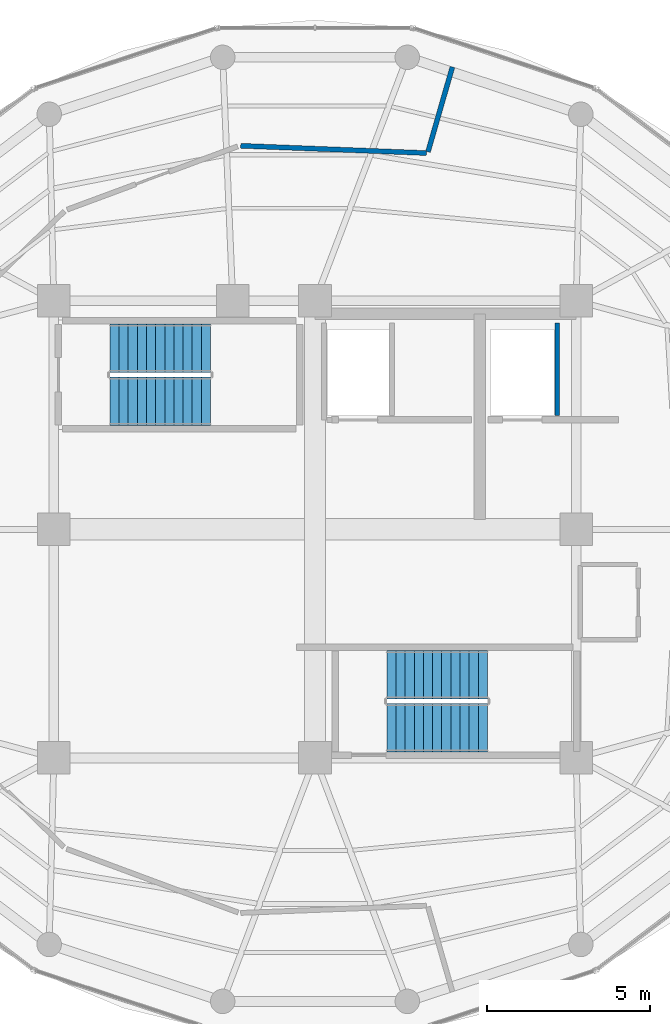
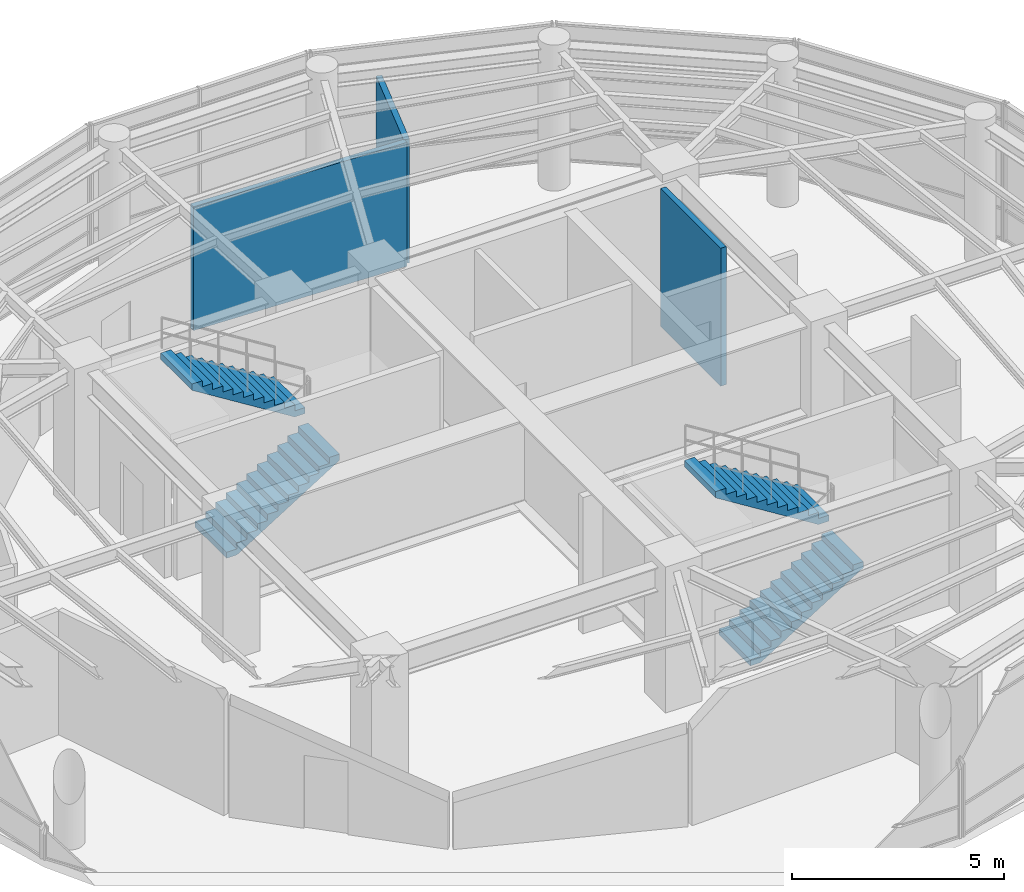
# One storey, part 18 of 19: 4 stair flights, 3 walls, 2 elements without a shape of their own.
"""IFC4 building model written with IfcOpenShell, lengths in metres."""

import ifcopenshell
import ifcopenshell.guid

model = None  # the IFC model being written
_history = None  # IfcOwnerHistory: only IFC2X3 demands one
_inside = {}  # id of a spatial element -> (the spatial element, [elements in it])
_under = {}  # id of a project, library or spatial element -> (it, [spatial elements below it])
_declared = {}  # id of a project -> (the project, [libraries it declares])
_typed = {}  # id of a type object -> (the type object, [elements of that type])
_made_of = {}  # id of a material, layer set ... -> (it, [elements and type objects made of it])


def new_model(schema):
    """Start an empty IFC model of exactly this schema.

    Asked for "IFC4X3", IfcOpenShell would pick the latest addendum, in which some entities
    have other attributes; the version numbers below select the first issue.
    IFC2X3 requires an IfcOwnerHistory on every rooted entity: one is made here for all.
    """
    global model, _history
    if schema == "IFC4X3":
        model = ifcopenshell.file(schema_version=(4, 3, 0, 0))
    else:
        model = ifcopenshell.file(schema=schema)
    _inside.clear()
    _under.clear()
    _declared.clear()
    _typed.clear()
    _made_of.clear()
    _history = None
    if model.schema == "IFC2X3":
        org = make("IfcOrganization", Name="unknown")
        user = make(
            "IfcPersonAndOrganization",
            ThePerson=make("IfcPerson", FamilyName="unknown"),
            TheOrganization=org,
        )
        app = make(
            "IfcApplication",
            ApplicationDeveloper=org,
            Version="unknown",
            ApplicationFullName="unknown",
            ApplicationIdentifier="unknown",
        )
        _history = make(
            "IfcOwnerHistory",
            OwningUser=user,
            OwningApplication=app,
            ChangeAction="ADDED",
            CreationDate=0,
        )
    return model


def make(cls, **values):
    """One entity of the class cls with the attributes given. An attribute that is None is left unset."""
    return model.create_entity(
        cls, **{name: value for name, value in values.items() if value is not None}
    )


def rooted(cls, **values):
    """An entity with a GlobalId (a new one), such as an element, a storey or a relation."""
    return make(cls, GlobalId=ifcopenshell.guid.new(), OwnerHistory=_history, **values)


def si_unit(unit_type, name, prefix=None):
    """IfcSIUnit, for example si_unit("LENGTHUNIT", "METRE", prefix="MILLI")."""
    return make("IfcSIUnit", UnitType=unit_type, Prefix=prefix, Name=name)


def assignment(units):
    """IfcUnitAssignment: the units of a project."""
    return None if units is None else make("IfcUnitAssignment", Units=units)


def point(xyz):
    """IfcCartesianPoint."""
    return None if xyz is None else make("IfcCartesianPoint", Coordinates=xyz)


def direction(xyz):
    """IfcDirection."""
    return None if xyz is None else make("IfcDirection", DirectionRatios=xyz)


def frame(location, z_axis=None, x_axis=None):
    """IfcAxis2Placement3D, a coordinate frame: its origin and axes. An axis left out is left unset."""
    return make(
        "IfcAxis2Placement3D",
        Location=point(location),
        Axis=direction(z_axis),
        RefDirection=direction(x_axis),
    )


def frame_2d(location, x_axis=None):
    """IfcAxis2Placement2D, a coordinate frame in the plane: its origin and x axis."""
    return make(
        "IfcAxis2Placement2D", Location=point(location), RefDirection=direction(x_axis)
    )


def origin():
    """The frame at (0, 0, 0) with its axes left unset."""
    return frame((0.0, 0.0, 0.0))


def place(relative_to, where):
    """IfcLocalPlacement: puts the frame where relative to a parent placement (None: the world)."""
    return make(
        "IfcLocalPlacement", PlacementRelTo=relative_to, RelativePlacement=where
    )


def context(
    kind, dimensions, precision=None, world=None, true_north=None, identifier=None
):
    """IfcGeometricRepresentationContext, for example the 3D "Model" context."""
    return make(
        "IfcGeometricRepresentationContext",
        ContextIdentifier=identifier,
        ContextType=kind,
        CoordinateSpaceDimension=dimensions,
        Precision=precision,
        WorldCoordinateSystem=world,
        TrueNorth=true_north,
    )


def subcontext(parent, identifier, kind, view, scale=None):
    """IfcGeometricRepresentationSubContext, for example "Body" below "Model"."""
    return make(
        "IfcGeometricRepresentationSubContext",
        ContextIdentifier=identifier,
        ContextType=kind,
        ParentContext=parent,
        TargetScale=scale,
        TargetView=view,
    )


def project(units=None, contexts=None):
    """IfcProject with its units and contexts."""
    return rooted(
        "IfcProject",
        Name="project",
        RepresentationContexts=contexts,
        UnitsInContext=assignment(units),
    )


def spatial(cls, under=None, at=None, **own):
    """A site, building, storey or space (cls), placed at a placement, below another one or the project."""
    s = rooted(cls, ObjectPlacement=at, **own)
    if under is not None:
        _under.setdefault(under.id(), (under, []))[1].append(s)
    return s


def polyline(points):
    """IfcPolyline through the points."""
    return make("IfcPolyline", Points=[point(p) for p in points])


def profile(cls, at=None, kind="AREA", **sizes):
    """A parametric profile (cls). Its sizes go by their IFC names, for example OverallWidth=200.0."""
    return make(cls, ProfileType=kind, Position=at, **sizes)


def rectangle(**sizes):
    """IfcRectangleProfileDef."""
    return profile("IfcRectangleProfileDef", **sizes)


def outline(outer, holes=None, kind="AREA"):
    """IfcArbitraryClosedProfileDef: a profile drawn as a closed curve; with holes, ...WithVoids."""
    if holes is None:
        return make("IfcArbitraryClosedProfileDef", ProfileType=kind, OuterCurve=outer)
    return make(
        "IfcArbitraryProfileDefWithVoids",
        ProfileType=kind,
        OuterCurve=outer,
        InnerCurves=holes,
    )


def extrude(swept, where, along, depth):
    """IfcExtrudedAreaSolid: the profile swept, set in the frame where, extruded along a direction by depth."""
    return make(
        "IfcExtrudedAreaSolid",
        SweptArea=swept,
        Position=where,
        ExtrudedDirection=direction(along),
        Depth=depth,
    )


def shape(context_of_items, identifier, shape_type, items):
    """IfcShapeRepresentation: the items that make up one representation, for example the "Body"."""
    return make(
        "IfcShapeRepresentation",
        ContextOfItems=context_of_items,
        RepresentationIdentifier=identifier,
        RepresentationType=shape_type,
        Items=items,
    )


def material(Name=None, Category=None):
    """IfcMaterial."""
    return make("IfcMaterial", Name=Name, Category=Category)


def layer(
    of_material, thickness, ventilated=None, Name=None, Category=None, Priority=None
):
    """IfcMaterialLayer: one layer of a wall or slab, of a material (None: an air gap)."""
    return make(
        "IfcMaterialLayer",
        Material=of_material,
        LayerThickness=thickness,
        IsVentilated=ventilated,
        Name=Name,
        Category=Category,
        Priority=Priority,
    )


def layer_set(layers, Name=None):
    """IfcMaterialLayerSet."""
    return make("IfcMaterialLayerSet", MaterialLayers=layers, LayerSetName=Name)


def made_of(thing, what):
    """Note that an element or type object is made of a material, layer set ...; save() writes the relation."""
    if what is not None:
        _made_of.setdefault(what.id(), (what, []))[1].append(thing)
    return thing


def type_object(cls, material=None, **own):
    """A type object (cls), such as IfcWallType, which elements share."""
    return made_of(rooted(cls, **own), material)


def element(
    cls,
    number,
    at=None,
    inside=None,
    cuts=None,
    type_object=None,
    material=None,
    context=None,
    identifier="Body",
    shape_type=None,
    held_by="IfcProductDefinitionShape",
    body=None,
    shapes=None,
    **own,
):
    """One element of the class cls, such as IfcWall. Its Tag is "e" and its number.

    at: its placement. inside: the storey or other place that contains it. cuts: it is an
    opening in that element (IfcRelVoidsElement). A single representation is given by context,
    identifier, shape_type and body (its items); several are given by shapes. held_by: the class
    of the entity that holds the representations. save() writes the other relations.
    """
    e = rooted(cls, Tag="e%d" % number, ObjectPlacement=at, **own)
    if body is not None:
        shapes = [shape(context, identifier, shape_type, body)]
    if shapes is not None:
        e.Representation = make(held_by, Representations=shapes)
    if inside is not None:
        _inside.setdefault(inside.id(), (inside, []))[1].append(e)
    if cuts is not None:
        rooted(
            "IfcRelVoidsElement", RelatingBuildingElement=cuts, RelatedOpeningElement=e
        )
    if type_object is not None:
        _typed.setdefault(type_object.id(), (type_object, []))[1].append(e)
    return made_of(e, material)


def aggregate(whole, parts):
    """IfcRelAggregates: a whole, such as a stair, and the parts it consists of."""
    return rooted("IfcRelAggregates", RelatingObject=whole, RelatedObjects=parts)


def save(model, path):
    """Write the relations noted so far, then the file.

    IfcRelAggregates (storeys below a building ...), IfcRelContainedInSpatialStructure (elements
    in a storey), IfcRelDefinesByType, IfcRelAssociatesMaterial and IfcRelDeclares: one each for
    every whole, place, type object, material and project.
    """
    for whole, parts in _under.values():
        aggregate(whole, parts)
    for where, things in _inside.values():
        rooted(
            "IfcRelContainedInSpatialStructure",
            RelatedElements=things,
            RelatingStructure=where,
        )
    for kind, things in _typed.values():
        rooted("IfcRelDefinesByType", RelatedObjects=things, RelatingType=kind)
    for what, things in _made_of.values():
        rooted("IfcRelAssociatesMaterial", RelatedObjects=things, RelatingMaterial=what)
    for by, libraries in _declared.values():
        rooted("IfcRelDeclares", RelatingContext=by, RelatedDefinitions=libraries)
    model.write(path)


model = new_model("IFC4")

# Units and contexts
model_context = context("Model", 3, precision=1e-05, world=origin(), true_north=direction((0.0, 1.0)))
body_context = subcontext(model_context, "Body", "Model", "MODEL_VIEW")
ifc_project = project(units=[si_unit("LENGTHUNIT", "METRE"), si_unit("AREAUNIT", "SQUARE_METRE"), si_unit("VOLUMEUNIT", "CUBIC_METRE"), si_unit("PLANEANGLEUNIT", "RADIAN"), si_unit("MASSUNIT", "GRAM", prefix="KILO")], contexts=[model_context])

# Site, building, storey
site_placement = place(None, origin())
site = spatial("IfcSite", under=ifc_project, at=site_placement, CompositionType="ELEMENT")
building_placement = place(site_placement, origin())
building = spatial("IfcBuilding", under=site, at=building_placement, Name="Kelanora Arch Commons", CompositionType="ELEMENT")
storey_placement = place(building_placement, frame((0.0, 0.0, 306.89990234375)))
storey = spatial("IfcBuildingStorey", under=building, at=storey_placement, Name="L78", CompositionType="ELEMENT", Elevation=306.89990234375)

# Walls
ifc_material_1 = material(Name="Autoclaved aerated concrete blockwork with fire plaster", Category="masonry")
ifc_layer = layer(ifc_material_1, 0.14990234375)
ifc_layer_set = layer_set([ifc_layer], Name="Autoclaved aerated concrete blockwork with fire plaster")
wall_type = type_object("IfcWallType", Name="W-COMP-150", PredefinedType="PARTITIONING", material=ifc_layer_set)
wall_1_placement = place(storey_placement, frame((81.419921875, 61.47998046875, 0.0), z_axis=(0.0, 0.0, 1.0), x_axis=(0.0, 1.0, 0.0)))
element("IfcWall", 1, at=wall_1_placement, inside=storey, type_object=wall_type, Name="Firefighting Lift 2 East Shaft Wall L78", PredefinedType="PARTITIONING", context=body_context, shape_type="SweptSolid", body=[
    extrude(rectangle(XDim=2.840087890625, YDim=0.14990234375, at=frame_2d((1.419921875, 0.0))), origin(), (0.0, 0.0, 1.0), 3.97021484375),
])
wall_2_placement = place(storey_placement, frame((77.409912109375, 69.524658203125, 0.0), z_axis=(0.0, 0.0, 1.0), x_axis=(-0.999233860457, 0.03913683834, 0.0)))
element("IfcWall", 2, at=wall_2_placement, inside=storey, type_object=wall_type, Name="Crown Chiller and Cooling Tower Plant Room L78 Enclosure Partition 1", PredefinedType="PARTITIONING", context=body_context, shape_type="SweptSolid", body=[
    extrude(rectangle(XDim=5.689208984375, YDim=0.14990234375, at=frame_2d((2.8447265625, 0.0))), origin(), (0.0, 0.0, 1.0), 3.565185546875),
])
wall_3_placement = place(storey_placement, frame((78.2080078125, 72.16064453125, 0.0), z_axis=(0.0, 0.0, 1.0), x_axis=(-0.276223004297, -0.961093570833, 0.0)))
element("IfcWall", 3, at=wall_3_placement, inside=storey, type_object=wall_type, Name="Crown Chiller and Cooling Tower Plant Room L78 Enclosure Partition 10", PredefinedType="PARTITIONING", context=body_context, shape_type="SweptSolid", body=[
    extrude(rectangle(XDim=2.70458984375, YDim=0.14990234375, at=frame_2d((1.352294921875, 0.0))), origin(), (0.0, 0.0, 1.0), 3.565185546875),
])

# Stair, stair flights
ifc_material_2 = material(Name="Concrete C40/50", Category="concrete")
stair_type = type_object("IfcStairType", Name="STR-DL-420", PredefinedType="HALF_TURN_STAIR", material=ifc_material_2)
stair_1_placement = place(storey_placement, origin())
stair_1 = element("IfcStair", 4, at=stair_1_placement, inside=storey, type_object=stair_type, Name="L78 ST-T1", PredefinedType="HALF_TURN_STAIR")
stair_flight_type = type_object("IfcStairFlightType", Name="FLT-DL-420", PredefinedType="STRAIGHT", material=ifc_material_2)
stair_flight_1_placement = place(storey_placement, frame((67.719970703125, 61.919921875, 0.0), z_axis=(0.0, 0.0, 1.0), x_axis=(1.0, 0.0, 0.0)))
stair_flight_1 = element("IfcStairFlight", 5, at=stair_flight_1_placement, type_object=stair_flight_type, Name="ST-T1 flight 1", NumberOfRisers=12, NumberOfTreads=11, PredefinedType="STRAIGHT", RiserHeight=0.175, TreadLength=0.28, context=body_context, shape_type="SweptSolid", body=[
    extrude(outline(polyline([(0.0, 0.0), (0.0, 0.175048828125), (0.280029296875, 0.175048828125), (0.280029296875, 0.35009765625), (0.56005859375, 0.35009765625), (0.56005859375, 0.52490234375), (0.840087890625, 0.52490234375), (0.840087890625, 0.699951171875), (1.1201171875, 0.699951171875), (1.1201171875, 0.875), (1.39990234375, 0.875), (1.39990234375, 1.050048828125), (1.679931640625, 1.050048828125), (1.679931640625, 1.22509765625), (1.9599609375, 1.22509765625), (1.9599609375, 1.39990234375), (2.239990234375, 1.39990234375), (2.239990234375, 1.574951171875), (2.52001953125, 1.574951171875), (2.52001953125, 1.75), (2.800048828125, 1.75), (2.800048828125, 1.925048828125), (3.080078125, 1.925048828125), (3.080078125, 2.10009765625), (3.080078125, 1.748291015625), (0.28271484375, 0.0), (0.0, 0.0)])), frame((0.0, 0.739990234375, 0.0), z_axis=(0.0, -1.0, 0.0), x_axis=(1.0, 0.0, 0.0)), (0.0, 0.0, 1.0), 1.47998046875),
])
stair_flight_2_placement = place(storey_placement, frame((70.800048828125, 63.550048828125, 2.10009765625), z_axis=(0.0, 0.0, 1.0), x_axis=(-1.0, 0.0, 0.0)))
stair_flight_2 = element("IfcStairFlight", 6, at=stair_flight_2_placement, type_object=stair_flight_type, Name="ST-T1 flight 2", NumberOfRisers=12, NumberOfTreads=11, PredefinedType="STRAIGHT", RiserHeight=0.175, TreadLength=0.28, context=body_context, shape_type="SweptSolid", body=[
    extrude(outline(polyline([(0.0, 0.0), (0.0, 0.175048828125), (0.280029296875, 0.175048828125), (0.280029296875, 0.35009765625), (0.56005859375, 0.35009765625), (0.56005859375, 0.52490234375), (0.840087890625, 0.52490234375), (0.840087890625, 0.699951171875), (1.1201171875, 0.699951171875), (1.1201171875, 0.875), (1.39990234375, 0.875), (1.39990234375, 1.050048828125), (1.679931640625, 1.050048828125), (1.679931640625, 1.22509765625), (1.9599609375, 1.22509765625), (1.9599609375, 1.39990234375), (2.239990234375, 1.39990234375), (2.239990234375, 1.574951171875), (2.52001953125, 1.574951171875), (2.52001953125, 1.75), (2.800048828125, 1.75), (2.800048828125, 1.925048828125), (3.080078125, 1.925048828125), (3.080078125, 2.10009765625), (3.080078125, 1.748291015625), (0.28271484375, 0.0), (0.0, 0.0)])), frame((0.0, 0.739990234375, 0.0), z_axis=(0.0, -1.0, 0.0), x_axis=(1.0, 0.0, 0.0)), (0.0, 0.0, 1.0), 1.47998046875),
])
aggregate(stair_1, [stair_flight_1, stair_flight_2])

stair_2_placement = place(storey_placement, origin())
stair_2 = element("IfcStair", 7, at=stair_2_placement, inside=storey, type_object=stair_type, Name="L78 ST-T2", PredefinedType="HALF_TURN_STAIR")
stair_flight_3_placement = place(storey_placement, frame((76.199951171875, 51.919921875, 0.0), z_axis=(0.0, 0.0, 1.0), x_axis=(1.0, 0.0, 0.0)))
stair_flight_3 = element("IfcStairFlight", 8, at=stair_flight_3_placement, type_object=stair_flight_type, Name="ST-T2 flight 1", NumberOfRisers=12, NumberOfTreads=11, PredefinedType="STRAIGHT", RiserHeight=0.175, TreadLength=0.28, context=body_context, shape_type="SweptSolid", body=[
    extrude(outline(polyline([(0.0, 0.0), (0.0, 0.175048828125), (0.280029296875, 0.175048828125), (0.280029296875, 0.35009765625), (0.56005859375, 0.35009765625), (0.56005859375, 0.52490234375), (0.840087890625, 0.52490234375), (0.840087890625, 0.699951171875), (1.1201171875, 0.699951171875), (1.1201171875, 0.875), (1.39990234375, 0.875), (1.39990234375, 1.050048828125), (1.679931640625, 1.050048828125), (1.679931640625, 1.22509765625), (1.9599609375, 1.22509765625), (1.9599609375, 1.39990234375), (2.239990234375, 1.39990234375), (2.239990234375, 1.574951171875), (2.52001953125, 1.574951171875), (2.52001953125, 1.75), (2.800048828125, 1.75), (2.800048828125, 1.925048828125), (3.080078125, 1.925048828125), (3.080078125, 2.10009765625), (3.080078125, 1.748291015625), (0.28271484375, 0.0), (0.0, 0.0)])), frame((0.0, 0.739990234375, 0.0), z_axis=(0.0, -1.0, 0.0), x_axis=(1.0, 0.0, 0.0)), (0.0, 0.0, 1.0), 1.47998046875),
])
stair_flight_4_placement = place(storey_placement, frame((79.280029296875, 53.550048828125, 2.10009765625), z_axis=(0.0, 0.0, 1.0), x_axis=(-1.0, 0.0, 0.0)))
stair_flight_4 = element("IfcStairFlight", 9, at=stair_flight_4_placement, type_object=stair_flight_type, Name="ST-T2 flight 2", NumberOfRisers=12, NumberOfTreads=11, PredefinedType="STRAIGHT", RiserHeight=0.175, TreadLength=0.28, context=body_context, shape_type="SweptSolid", body=[
    extrude(outline(polyline([(0.0, 0.0), (0.0, 0.175048828125), (0.280029296875, 0.175048828125), (0.280029296875, 0.35009765625), (0.56005859375, 0.35009765625), (0.56005859375, 0.52490234375), (0.840087890625, 0.52490234375), (0.840087890625, 0.699951171875), (1.1201171875, 0.699951171875), (1.1201171875, 0.875), (1.39990234375, 0.875), (1.39990234375, 1.050048828125), (1.679931640625, 1.050048828125), (1.679931640625, 1.22509765625), (1.9599609375, 1.22509765625), (1.9599609375, 1.39990234375), (2.239990234375, 1.39990234375), (2.239990234375, 1.574951171875), (2.52001953125, 1.574951171875), (2.52001953125, 1.75), (2.800048828125, 1.75), (2.800048828125, 1.925048828125), (3.080078125, 1.925048828125), (3.080078125, 2.10009765625), (3.080078125, 1.748291015625), (0.28271484375, 0.0), (0.0, 0.0)])), frame((0.0, 0.739990234375, 0.0), z_axis=(0.0, -1.0, 0.0), x_axis=(1.0, 0.0, 0.0)), (0.0, 0.0, 1.0), 1.47998046875),
])
aggregate(stair_2, [stair_flight_3, stair_flight_4])

save(model, "model.ifc")
